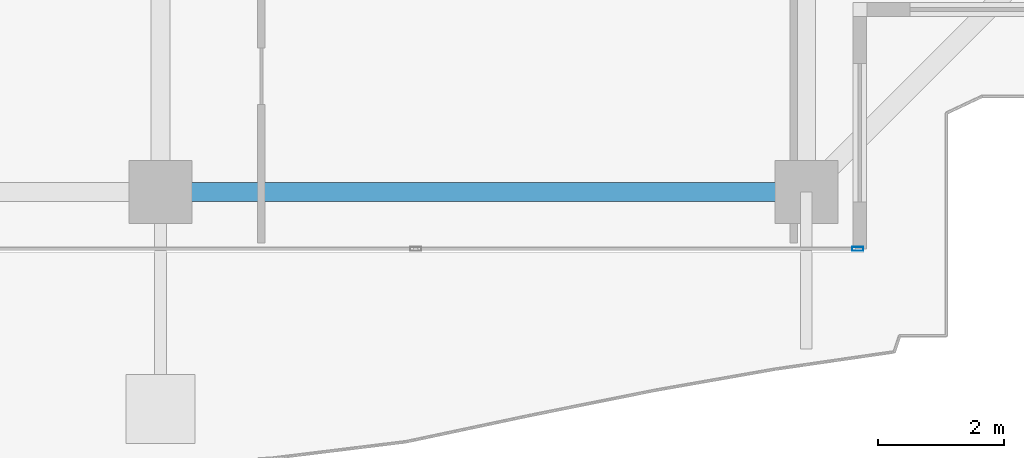
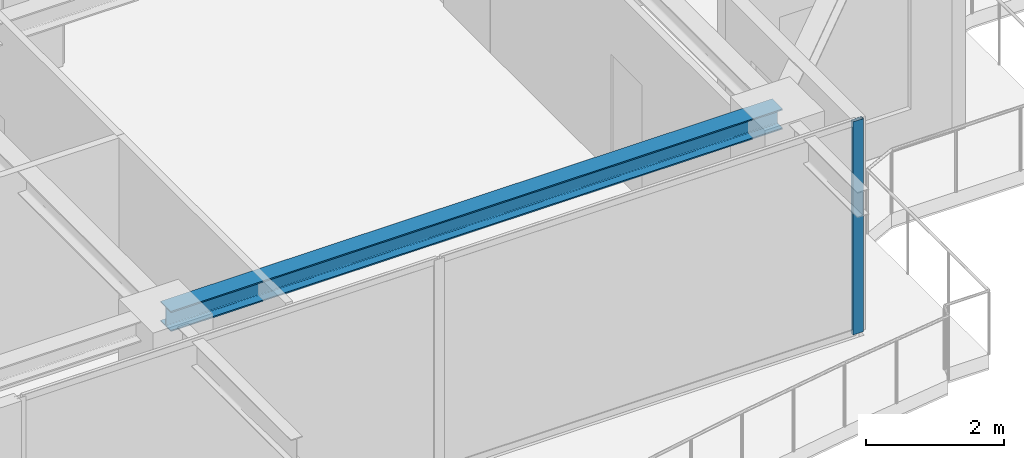
# One storey, part 12 of 42: 1 beam, 1 member, 1 element without a shape of its own.
"""IFC4 building model written with IfcOpenShell, lengths in metres."""

from ifc_helpers import new_model, si_unit, direction, frame, origin, origin_2d, place, context, subcontext, project, spatial, hollow_rectangle, i_section, extrude, source, transform, mapped, material, layer, layer_set, material_profile, profile_set, type_object, element, aggregate, save


model = new_model("IFC4")

# Units and contexts
model_context = context("Model", 3, precision=1e-05, world=origin(), true_north=direction((0.0, 1.0)))
body_context = subcontext(model_context, "Body", "Model", "MODEL_VIEW")
ifc_project = project(units=[si_unit("LENGTHUNIT", "METRE"), si_unit("AREAUNIT", "SQUARE_METRE"), si_unit("VOLUMEUNIT", "CUBIC_METRE"), si_unit("PLANEANGLEUNIT", "RADIAN"), si_unit("MASSUNIT", "GRAM", prefix="KILO")], contexts=[model_context])

# Site, building, storey
site_placement = place(None, origin())
site = spatial("IfcSite", under=ifc_project, at=site_placement, CompositionType="ELEMENT")
building_placement = place(site_placement, origin())
building = spatial("IfcBuilding", under=site, at=building_placement, Name="Serunith Strait Residences", CompositionType="ELEMENT")
storey_placement = place(building_placement, frame((0.0, 0.0, 297.5)))
storey = spatial("IfcBuildingStorey", under=building, at=storey_placement, Name="L74", CompositionType="ELEMENT", Elevation=297.5)

# Beam
ifc_material_1 = material(Name="Steel S355J2", Category="steel")
ifc_material_profile_1 = material_profile(ifc_material_1, i_section(OverallWidth=0.300048828125, OverallDepth=0.360107421875, WebThickness=0.012451171875, FlangeThickness=0.0224609375, FilletRadius=0.027099609375, at=origin_2d()), Name="HEB 360")
ifc_profile_set_1 = profile_set([ifc_material_profile_1], Name="Steel S355J2")
beam_type = type_object("IfcBeamType", Name="BM-HEB360", PredefinedType="BEAM", material=ifc_profile_set_1)
shared_shape_1 = source(origin(), body_context, "Body", "SweptSolid", [
    extrude(i_section(OverallWidth=0.300048828125, OverallDepth=0.360107421875, WebThickness=0.012451171875, FlangeThickness=0.0224609375, FilletRadius=0.027099609375, at=origin_2d()), origin(), (0.0, 0.0, 1.0), 10.25),
])
beam_placement = place(storey_placement, frame((36.89990234375, 3.300048828125, 3.60693359375), z_axis=(1.0, 0.0, 0.0), x_axis=(0.0, 1.0, 0.0)))
element("IfcBeam", 1, at=beam_placement, inside=storey, type_object=beam_type, Name="L74 Perimeter Ring Beam 03", PredefinedType="BEAM", context=body_context, shape_type="MappedRepresentation", body=[
    mapped(shared_shape_1, transform((0.0, 0.0, 0.0), scale=1.0)),
])

# Curtain wall, member
ifc_material_2 = material(Name="Brushed Stainless-Silver Aluminium", Category="aluminium")
ifc_layer = layer(ifc_material_2, 0.199951171875, Name="Brushed Stainless-Silver Aluminium")
ifc_layer_set = layer_set([ifc_layer], Name="Brushed Stainless-Silver Aluminium")
curtain_wall_type = type_object("IfcCurtainWallType", Name="CW-SYS5", PredefinedType="NOTDEFINED", material=ifc_layer_set)
curtain_wall_placement = place(storey_placement, origin())
curtain_wall = element("IfcCurtainWall", 2, at=curtain_wall_placement, inside=storey, type_object=curtain_wall_type, Name="L74 S Unitised Fritted Curtain Wall", PredefinedType="NOTDEFINED")
ifc_material_profile_2 = material_profile(ifc_material_2, hollow_rectangle(XDim=0.06494140625, YDim=0.179931640625, WallThickness=0.00341796875, InnerFilletRadius=0.00537109375, OuterFilletRadius=0.0087890625, at=origin_2d()), Name="ALU 180x65x3.5")
ifc_profile_set_2 = profile_set([ifc_material_profile_2], Name="Brushed Stainless-Silver Aluminium")
member_type = type_object("IfcMemberType", Name="CW-SYS5-MULL", PredefinedType="MULLION", material=ifc_profile_set_2)
shared_shape_2 = source(origin(), body_context, "Body", "SweptSolid", [
    extrude(hollow_rectangle(XDim=0.06494140625, YDim=0.179931640625, WallThickness=0.00341796875, InnerFilletRadius=0.00537109375, OuterFilletRadius=0.0087890625, at=origin_2d()), origin(), (0.0, 0.0, 1.0), 3.77490234375),
])
member_placement = place(storey_placement, frame((47.967529296875, 2.39990234375, 0.0), z_axis=(0.0, 0.0, 1.0), x_axis=(0.0, 1.0, 0.0)))
member = element("IfcMember", 3, at=member_placement, type_object=member_type, Name="CW-5 mullion 3", PredefinedType="MULLION", context=body_context, shape_type="MappedRepresentation", body=[
    mapped(shared_shape_2, transform((0.0, 0.0, 0.0), scale=1.0)),
])
aggregate(curtain_wall, [member])

save(model, "model.ifc")
